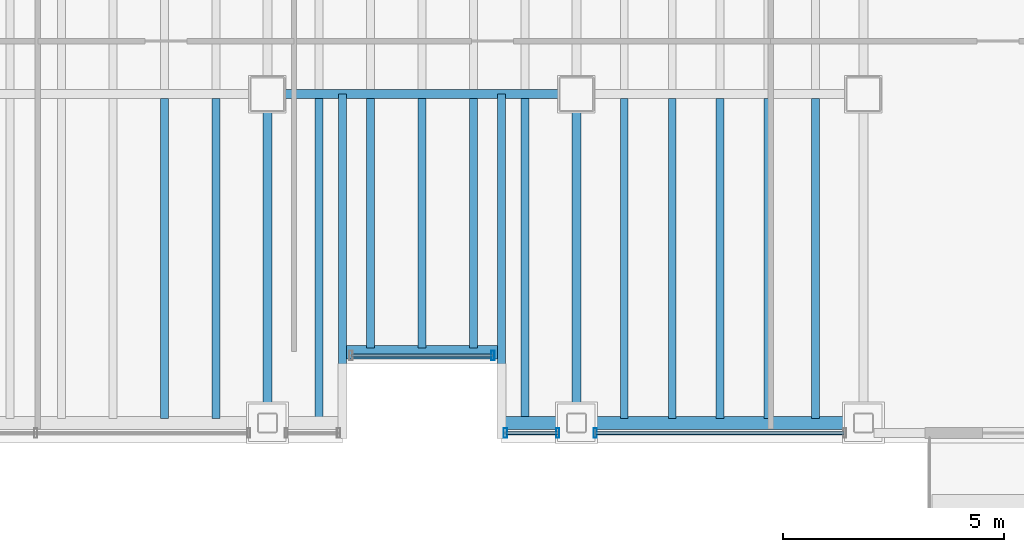
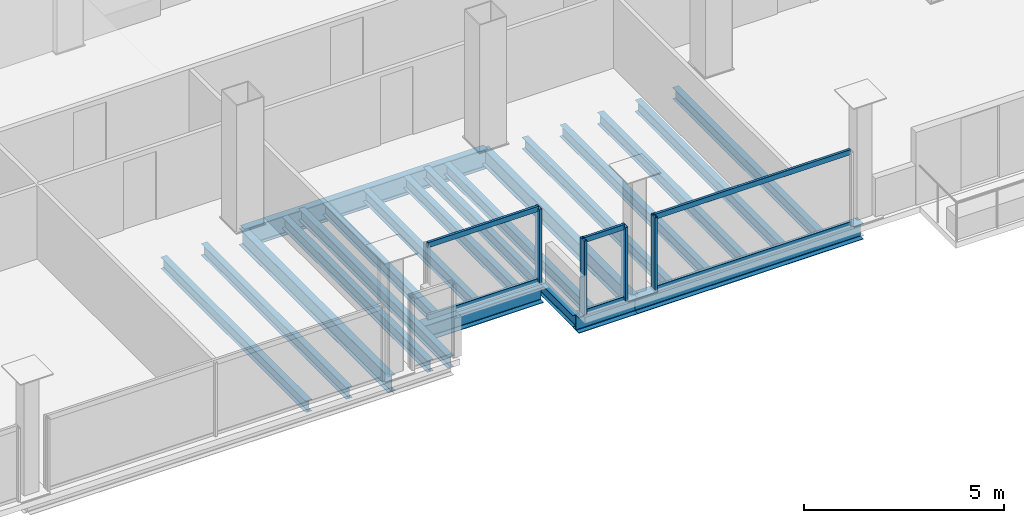
# One storey, part 6 of 16: 20 beams, 10 members, 3 elements without a shape of their own.
"""IFC4 building model written with IfcOpenShell, lengths in metres."""

from ifc_helpers import new_model, si_unit, direction, frame, origin, origin_2d, place, context, subcontext, project, spatial, hollow_rectangle, i_section, extrude, material, material_profile, profile_set, type_object, element, aggregate, save


model = new_model("IFC4")

# Units and contexts
model_context = context("Model", 3, precision=1e-05, world=origin(), true_north=direction((0.0, 1.0)))
body_context = subcontext(model_context, "Body", "Model", "MODEL_VIEW")
ifc_project = project(units=[si_unit("LENGTHUNIT", "METRE"), si_unit("AREAUNIT", "SQUARE_METRE"), si_unit("VOLUMEUNIT", "CUBIC_METRE"), si_unit("PLANEANGLEUNIT", "RADIAN"), si_unit("MASSUNIT", "GRAM", prefix="KILO")], contexts=[model_context])

# Site, building, storey
site_placement = place(None, origin())
site = spatial("IfcSite", under=ifc_project, at=site_placement, CompositionType="ELEMENT")
building_placement = place(site_placement, origin())
building = spatial("IfcBuilding", under=site, at=building_placement, Name="Noeulbin Bourse Tower", CompositionType="ELEMENT")
storey_placement = place(building_placement, frame((0.0, 0.0, 254.0)))
storey = spatial("IfcBuildingStorey", under=building, at=storey_placement, Name="L63", CompositionType="ELEMENT", Elevation=254.0)

# Beams
ifc_material_1 = material(Name="Steel S355", Category="steel")
ifc_material_profile_1 = material_profile(ifc_material_1, i_section(OverallWidth=0.199951171875, OverallDepth=0.5, WebThickness=0.010009765625, FlangeThickness=0.01611328125, FilletRadius=0.02001953125, at=origin_2d()), Name="H-500x200x10x16", Category="LoadBearing")
ifc_profile_set_1 = profile_set([ifc_material_profile_1], Name="Steel S355")
beam_type_1 = type_object("IfcBeamType", Name="BM-GRD-500", PredefinedType="USERDEFINED", material=ifc_profile_set_1)
for number, where, z_axis, x_axis, name in (
    (1, (24.0, 12.550048828125, -0.429931640625), (0.0, 1.0, 0.0), (-1.0, 0.0, 0.0), "Tower Primary Girder NS L63-2.1"),
    (2, (31.0, 12.550048828125, -0.429931640625), (0.0, 1.0, 0.0), (-1.0, 0.0, 0.0), "Tower Primary Girder NS L63-3.1"),
):
    element("IfcBeam", number, at=place(storey_placement, frame(where, z_axis=z_axis, x_axis=x_axis)), inside=storey, type_object=beam_type_1, Name=name, ObjectType="GIRDER", PredefinedType="USERDEFINED", context=body_context, shape_type="SweptSolid", body=[
        extrude(i_section(OverallWidth=0.199951171875, OverallDepth=0.5, WebThickness=0.010009765625, FlangeThickness=0.01611328125, FilletRadius=0.02001953125, at=origin_2d()), origin(), (0.0, 0.0, 1.0), 7.449951171875),
    ])
ifc_material_profile_2 = material_profile(ifc_material_1, i_section(OverallWidth=0.199951171875, OverallDepth=0.60009765625, WebThickness=0.010986328125, FlangeThickness=0.01708984375, FilletRadius=0.02197265625, at=origin_2d()), Name="H-600x200x11x17", Category="LoadBearing")
ifc_profile_set_2 = profile_set([ifc_material_profile_2], Name="Steel S355")
beam_type_2 = type_object("IfcBeamType", Name="BM-GRD-600", PredefinedType="USERDEFINED", material=ifc_profile_set_2)
beam_1_placement = place(storey_placement, frame((24.0, 20.0, -0.47998046875), z_axis=(1.0, 0.0, 0.0), x_axis=(0.0, 1.0, 0.0)))
element("IfcBeam", 3, at=beam_1_placement, inside=storey, type_object=beam_type_2, Name="Tower Primary Girder EW L63-1.3", ObjectType="GIRDER", PredefinedType="USERDEFINED", context=body_context, shape_type="SweptSolid", body=[
    extrude(i_section(OverallWidth=0.199951171875, OverallDepth=0.60009765625, WebThickness=0.010986328125, FlangeThickness=0.01708984375, FilletRadius=0.02197265625, at=origin_2d()), origin(), (0.0, 0.0, 1.0), 7.0),
])
ifc_material_profile_3 = material_profile(ifc_material_1, i_section(OverallWidth=0.175048828125, OverallDepth=0.35009765625, WebThickness=0.007080078125, FlangeThickness=0.010986328125, FilletRadius=0.013916015625, at=origin_2d()), Name="H-350x175x7x11", Category="LoadBearing")
ifc_profile_set_3 = profile_set([ifc_material_profile_3], Name="Steel S355")
beam_type_3 = type_object("IfcBeamType", Name="BM-JST-350", PredefinedType="JOIST", material=ifc_profile_set_3)
for number, where, z_axis, x_axis, name in (
    (4, (25.699951171875, 12.550048828125, -0.35498046875), (0.0, 1.0, 0.0), (-1.0, 0.0, 0.0), "BM-L63-SRT-W"),
    (5, (29.300048828125, 12.550048828125, -0.35498046875), (0.0, 1.0, 0.0), (-1.0, 0.0, 0.0), "BM-L63-SRT-E"),
):
    element("IfcBeam", number, at=place(storey_placement, frame(where, z_axis=z_axis, x_axis=x_axis)), inside=storey, type_object=beam_type_3, Name=name, PredefinedType="JOIST", context=body_context, shape_type="SweptSolid", body=[
        extrude(i_section(OverallWidth=0.175048828125, OverallDepth=0.35009765625, WebThickness=0.007080078125, FlangeThickness=0.010986328125, FilletRadius=0.013916015625, at=origin_2d()), origin(), (0.0, 0.0, 1.0), 7.449951171875),
    ])
for number, where, z_axis, x_axis, name in (
    (6, (21.666748046875, 12.64990234375, -0.35498046875), (0.0, 1.0, 0.0), (-1.0, 0.0, 0.0), "Tower Composite Joist L63-13"),
    (7, (22.833251953125, 12.64990234375, -0.35498046875), (0.0, 1.0, 0.0), (-1.0, 0.0, 0.0), "Tower Composite Joist L63-15"),
    (8, (25.166748046875, 12.64990234375, -0.35498046875), (0.0, 1.0, 0.0), (-1.0, 0.0, 0.0), "Tower Composite Joist L63-17"),
):
    element("IfcBeam", number, at=place(storey_placement, frame(where, z_axis=z_axis, x_axis=x_axis)), inside=storey, type_object=beam_type_3, Name=name, PredefinedType="JOIST", context=body_context, shape_type="SweptSolid", body=[
        extrude(i_section(OverallWidth=0.175048828125, OverallDepth=0.35009765625, WebThickness=0.007080078125, FlangeThickness=0.010986328125, FilletRadius=0.013916015625, at=origin_2d()), origin(), (0.0, 0.0, 1.0), 7.25),
    ])
for number, where, z_axis, x_axis, name in (
    (9, (26.333251953125, 14.25, -0.35498046875), (0.0, 1.0, 0.0), (-1.0, 0.0, 0.0), "Tower Composite Joist L63-19"),
    (10, (27.5, 14.25, -0.35498046875), (0.0, 1.0, 0.0), (-1.0, 0.0, 0.0), "Tower Composite Joist L63-21"),
    (11, (28.666748046875, 14.25, -0.35498046875), (0.0, 1.0, 0.0), (-1.0, 0.0, 0.0), "Tower Composite Joist L63-23"),
):
    element("IfcBeam", number, at=place(storey_placement, frame(where, z_axis=z_axis, x_axis=x_axis)), inside=storey, type_object=beam_type_3, Name=name, PredefinedType="JOIST", context=body_context, shape_type="SweptSolid", body=[
        extrude(i_section(OverallWidth=0.175048828125, OverallDepth=0.35009765625, WebThickness=0.007080078125, FlangeThickness=0.010986328125, FilletRadius=0.013916015625, at=origin_2d()), origin(), (0.0, 0.0, 1.0), 5.64990234375),
    ])
for number, where, z_axis, x_axis, name in (
    (12, (29.833251953125, 12.64990234375, -0.35498046875), (0.0, 1.0, 0.0), (-1.0, 0.0, 0.0), "Tower Composite Joist L63-25"),
    (13, (32.083251953125, 12.64990234375, -0.35498046875), (0.0, 1.0, 0.0), (-1.0, 0.0, 0.0), "Tower Composite Joist L63-27"),
    (14, (33.166748046875, 12.64990234375, -0.35498046875), (0.0, 1.0, 0.0), (-1.0, 0.0, 0.0), "Tower Composite Joist L63-29"),
    (15, (34.25, 12.64990234375, -0.35498046875), (0.0, 1.0, 0.0), (-1.0, 0.0, 0.0), "Tower Composite Joist L63-31"),
    (16, (35.333251953125, 12.64990234375, -0.35498046875), (0.0, 1.0, 0.0), (-1.0, 0.0, 0.0), "Tower Composite Joist L63-33"),
    (17, (36.416748046875, 12.64990234375, -0.35498046875), (0.0, 1.0, 0.0), (-1.0, 0.0, 0.0), "Tower Composite Joist L63-35"),
):
    element("IfcBeam", number, at=place(storey_placement, frame(where, z_axis=z_axis, x_axis=x_axis)), inside=storey, type_object=beam_type_3, Name=name, PredefinedType="JOIST", context=body_context, shape_type="SweptSolid", body=[
        extrude(i_section(OverallWidth=0.175048828125, OverallDepth=0.35009765625, WebThickness=0.007080078125, FlangeThickness=0.010986328125, FilletRadius=0.013916015625, at=origin_2d()), origin(), (0.0, 0.0, 1.0), 7.25),
    ])
ifc_material_profile_4 = material_profile(ifc_material_1, i_section(OverallWidth=0.300048828125, OverallDepth=0.488037109375, WebThickness=0.010986328125, FlangeThickness=0.01806640625, FilletRadius=0.02197265625, at=origin_2d()), Name="H-488x300x11x18", Category="LoadBearing")
ifc_profile_set_4 = profile_set([ifc_material_profile_4], Name="Steel S355")
beam_type_4 = type_object("IfcBeamType", Name="BM-SPN-488", PredefinedType="SPANDREL", material=ifc_profile_set_4)
beam_2_placement = place(storey_placement, frame((25.78759765625, 14.14990234375, -0.424072265625), z_axis=(1.0, 0.0, 0.0), x_axis=(0.0, 1.0, 0.0)))
element("IfcBeam", 18, at=beam_2_placement, inside=storey, type_object=beam_type_4, Name="South Recess Spandrel L63-2B", PredefinedType="SPANDREL", context=body_context, shape_type="SweptSolid", body=[
    extrude(i_section(OverallWidth=0.300048828125, OverallDepth=0.488037109375, WebThickness=0.010986328125, FlangeThickness=0.01806640625, FilletRadius=0.02197265625, at=origin_2d()), origin(), (0.0, 0.0, 1.0), 3.4248046875),
])
beam_3_placement = place(storey_placement, frame((29.300048828125, 12.550048828125, -0.424072265625), z_axis=(1.0, 0.0, 0.0), x_axis=(0.0, 1.0, 0.0)))
element("IfcBeam", 19, at=beam_3_placement, inside=storey, type_object=beam_type_4, Name="South Spandrel L63-2C", PredefinedType="SPANDREL", context=body_context, shape_type="SweptSolid", body=[
    extrude(i_section(OverallWidth=0.300048828125, OverallDepth=0.488037109375, WebThickness=0.010986328125, FlangeThickness=0.01806640625, FilletRadius=0.02197265625, at=origin_2d()), origin(), (0.0, 0.0, 1.0), 1.699951171875),
])
beam_4_placement = place(storey_placement, frame((31.0, 12.550048828125, -0.424072265625), z_axis=(1.0, 0.0, 0.0), x_axis=(0.0, 1.0, 0.0)))
element("IfcBeam", 20, at=beam_4_placement, inside=storey, type_object=beam_type_4, Name="South Spandrel L63-3", PredefinedType="SPANDREL", context=body_context, shape_type="SweptSolid", body=[
    extrude(i_section(OverallWidth=0.300048828125, OverallDepth=0.488037109375, WebThickness=0.010986328125, FlangeThickness=0.01806640625, FilletRadius=0.02197265625, at=origin_2d()), origin(), (0.0, 0.0, 1.0), 6.5),
])

# Curtain wall, member
ifc_material_2 = material(Name="High-Selectivity Low-Iron Glazing", Category="glass")
curtain_wall_type = type_object("IfcCurtainWallType", Name="CW-SYS-4", PredefinedType="NOTDEFINED", material=ifc_material_2)
curtain_wall_1_placement = place(storey_placement, origin())
curtain_wall_1 = element("IfcCurtainWall", 21, at=curtain_wall_1_placement, inside=storey, type_object=curtain_wall_type, Name="Unitised Curtain Wall CW-L63-SREC", PredefinedType="NOTDEFINED")
ifc_material_3 = material(Name="Anodised Aluminium 6063-T6", Category="aluminium")
ifc_material_profile_5 = material_profile(ifc_material_3, hollow_rectangle(XDim=0.074951171875, YDim=0.219970703125, WallThickness=0.0048828125, InnerFilletRadius=0.00244140625, OuterFilletRadius=0.0048828125, at=origin_2d()), Name="ALU-MULL-75x220x5", Category="LoadBearing")
ifc_profile_set_5 = profile_set([ifc_material_profile_5], Name="Anodised Aluminium 6063-T6")
member_type_1 = type_object("IfcMemberType", Name="CW-SYS-4-MUL", PredefinedType="MULLION", material=ifc_profile_set_5)
member_1_placement = place(storey_placement, frame((29.110107421875, 14.080078125, -0.02001953125), z_axis=(0.0, 0.0, 1.0), x_axis=(1.0, 0.0, 0.0)))
member_1 = element("IfcMember", 22, at=member_1_placement, type_object=member_type_1, Name="Curtain Wall Mullion CW-L63-SREC-M01", PredefinedType="MULLION", context=body_context, shape_type="SweptSolid", body=[
    extrude(hollow_rectangle(XDim=0.074951171875, YDim=0.219970703125, WallThickness=0.0048828125, InnerFilletRadius=0.00244140625, OuterFilletRadius=0.0048828125, at=origin_2d()), origin(), (0.0, 0.0, 1.0), 2.260009765625),
])

# Curtain wall, members
curtain_wall_2_placement = place(storey_placement, origin())
curtain_wall_2 = element("IfcCurtainWall", 23, at=curtain_wall_2_placement, inside=storey, type_object=curtain_wall_type, Name="Unitised Curtain Wall CW-L63-S2-S1", PredefinedType="NOTDEFINED")
member_2_placement = place(storey_placement, frame((29.389892578125, 12.320068359375, -0.02001953125), z_axis=(0.0, 0.0, 1.0), x_axis=(1.0, 0.0, 0.0)))
member_2 = element("IfcMember", 24, at=member_2_placement, type_object=member_type_1, Name="Curtain Wall Mullion CW-L63-S2-S1-M00", PredefinedType="MULLION", context=body_context, shape_type="SweptSolid", body=[
    extrude(hollow_rectangle(XDim=0.074951171875, YDim=0.219970703125, WallThickness=0.0048828125, InnerFilletRadius=0.00244140625, OuterFilletRadius=0.0048828125, at=origin_2d()), origin(), (0.0, 0.0, 1.0), 2.260009765625),
])
member_3_placement = place(storey_placement, frame((30.574951171875, 12.320068359375, -0.02001953125), z_axis=(0.0, 0.0, 1.0), x_axis=(1.0, 0.0, 0.0)))
member_3 = element("IfcMember", 25, at=member_3_placement, type_object=member_type_1, Name="Curtain Wall Mullion CW-L63-S2-S1-M01", PredefinedType="MULLION", context=body_context, shape_type="SweptSolid", body=[
    extrude(hollow_rectangle(XDim=0.074951171875, YDim=0.219970703125, WallThickness=0.0048828125, InnerFilletRadius=0.00244140625, OuterFilletRadius=0.0048828125, at=origin_2d()), origin(), (0.0, 0.0, 1.0), 2.260009765625),
])

# Curtain wall, member
curtain_wall_3_placement = place(storey_placement, origin())
curtain_wall_3 = element("IfcCurtainWall", 26, at=curtain_wall_3_placement, inside=storey, type_object=curtain_wall_type, Name="Unitised Curtain Wall CW-L63-S2-S2", PredefinedType="NOTDEFINED")
member_4_placement = place(storey_placement, frame((31.425048828125, 12.320068359375, -0.02001953125), z_axis=(0.0, 0.0, 1.0), x_axis=(1.0, 0.0, 0.0)))
member_4 = element("IfcMember", 27, at=member_4_placement, type_object=member_type_1, Name="Curtain Wall Mullion CW-L63-S2-S2-M00", PredefinedType="MULLION", context=body_context, shape_type="SweptSolid", body=[
    extrude(hollow_rectangle(XDim=0.074951171875, YDim=0.219970703125, WallThickness=0.0048828125, InnerFilletRadius=0.00244140625, OuterFilletRadius=0.0048828125, at=origin_2d()), origin(), (0.0, 0.0, 1.0), 2.260009765625),
])

# Member
ifc_material_profile_6 = material_profile(ifc_material_3, hollow_rectangle(XDim=0.074951171875, YDim=0.159912109375, WallThickness=0.0048828125, InnerFilletRadius=0.00244140625, OuterFilletRadius=0.0048828125, at=origin_2d()), Name="ALU-TRAN-75x160x5", Category="LoadBearing")
ifc_profile_set_6 = profile_set([ifc_material_profile_6], Name="Anodised Aluminium 6063-T6")
member_type_2 = type_object("IfcMemberType", Name="CW-SYS-4-TRN", PredefinedType="USERDEFINED", material=ifc_profile_set_6)
member_5_placement = place(storey_placement, frame((25.89990234375, 14.080078125, 0.010009765625), z_axis=(1.0, 0.0, 0.0), x_axis=(0.0, 1.0, 0.0)))
member_5 = element("IfcMember", 28, at=member_5_placement, type_object=member_type_2, Name="Curtain Wall Transom CW-L63-SREC-T00", ObjectType="TRANSOM", PredefinedType="USERDEFINED", context=body_context, shape_type="SweptSolid", body=[
    extrude(hollow_rectangle(XDim=0.074951171875, YDim=0.159912109375, WallThickness=0.0048828125, InnerFilletRadius=0.00244140625, OuterFilletRadius=0.0048828125, at=origin_2d()), origin(), (0.0, 0.0, 1.0), 3.2001953125),
])

member_6_placement = place(storey_placement, frame((25.89990234375, 14.080078125, 2.2099609375), z_axis=(1.0, 0.0, 0.0), x_axis=(0.0, 1.0, 0.0)))
member_6 = element("IfcMember", 29, at=member_6_placement, type_object=member_type_2, Name="Curtain Wall Transom CW-L63-SREC-T01", ObjectType="TRANSOM", PredefinedType="USERDEFINED", context=body_context, shape_type="SweptSolid", body=[
    extrude(hollow_rectangle(XDim=0.074951171875, YDim=0.159912109375, WallThickness=0.0048828125, InnerFilletRadius=0.00244140625, OuterFilletRadius=0.0048828125, at=origin_2d()), origin(), (0.0, 0.0, 1.0), 3.2001953125),
])

aggregate(curtain_wall_1, [member_1, member_5, member_6])

member_7_placement = place(storey_placement, frame((29.39990234375, 12.320068359375, 0.010009765625), z_axis=(1.0, 0.0, 0.0), x_axis=(0.0, 1.0, 0.0)))
member_7 = element("IfcMember", 30, at=member_7_placement, type_object=member_type_2, Name="Curtain Wall Transom CW-L63-S2-S1-T00", ObjectType="TRANSOM", PredefinedType="USERDEFINED", context=body_context, shape_type="SweptSolid", body=[
    extrude(hollow_rectangle(XDim=0.074951171875, YDim=0.159912109375, WallThickness=0.0048828125, InnerFilletRadius=0.00244140625, OuterFilletRadius=0.0048828125, at=origin_2d()), origin(), (0.0, 0.0, 1.0), 1.1650390625),
])

member_8_placement = place(storey_placement, frame((29.39990234375, 12.320068359375, 2.2099609375), z_axis=(1.0, 0.0, 0.0), x_axis=(0.0, 1.0, 0.0)))
member_8 = element("IfcMember", 31, at=member_8_placement, type_object=member_type_2, Name="Curtain Wall Transom CW-L63-S2-S1-T01", ObjectType="TRANSOM", PredefinedType="USERDEFINED", context=body_context, shape_type="SweptSolid", body=[
    extrude(hollow_rectangle(XDim=0.074951171875, YDim=0.159912109375, WallThickness=0.0048828125, InnerFilletRadius=0.00244140625, OuterFilletRadius=0.0048828125, at=origin_2d()), origin(), (0.0, 0.0, 1.0), 1.1650390625),
])

aggregate(curtain_wall_2, [member_2, member_3, member_7, member_8])

member_9_placement = place(storey_placement, frame((31.43505859375, 12.320068359375, 0.010009765625), z_axis=(1.0, 0.0, 0.0), x_axis=(0.0, 1.0, 0.0)))
member_9 = element("IfcMember", 32, at=member_9_placement, type_object=member_type_2, Name="Curtain Wall Transom CW-L63-S2-S2-T00", ObjectType="TRANSOM", PredefinedType="USERDEFINED", context=body_context, shape_type="SweptSolid", body=[
    extrude(hollow_rectangle(XDim=0.074951171875, YDim=0.159912109375, WallThickness=0.0048828125, InnerFilletRadius=0.00244140625, OuterFilletRadius=0.0048828125, at=origin_2d()), origin(), (0.0, 0.0, 1.0), 5.6298828125),
])

member_10_placement = place(storey_placement, frame((31.43505859375, 12.320068359375, 2.2099609375), z_axis=(1.0, 0.0, 0.0), x_axis=(0.0, 1.0, 0.0)))
member_10 = element("IfcMember", 33, at=member_10_placement, type_object=member_type_2, Name="Curtain Wall Transom CW-L63-S2-S2-T01", ObjectType="TRANSOM", PredefinedType="USERDEFINED", context=body_context, shape_type="SweptSolid", body=[
    extrude(hollow_rectangle(XDim=0.074951171875, YDim=0.159912109375, WallThickness=0.0048828125, InnerFilletRadius=0.00244140625, OuterFilletRadius=0.0048828125, at=origin_2d()), origin(), (0.0, 0.0, 1.0), 5.6298828125),
])

aggregate(curtain_wall_3, [member_4, member_9, member_10])

save(model, "model.ifc")
